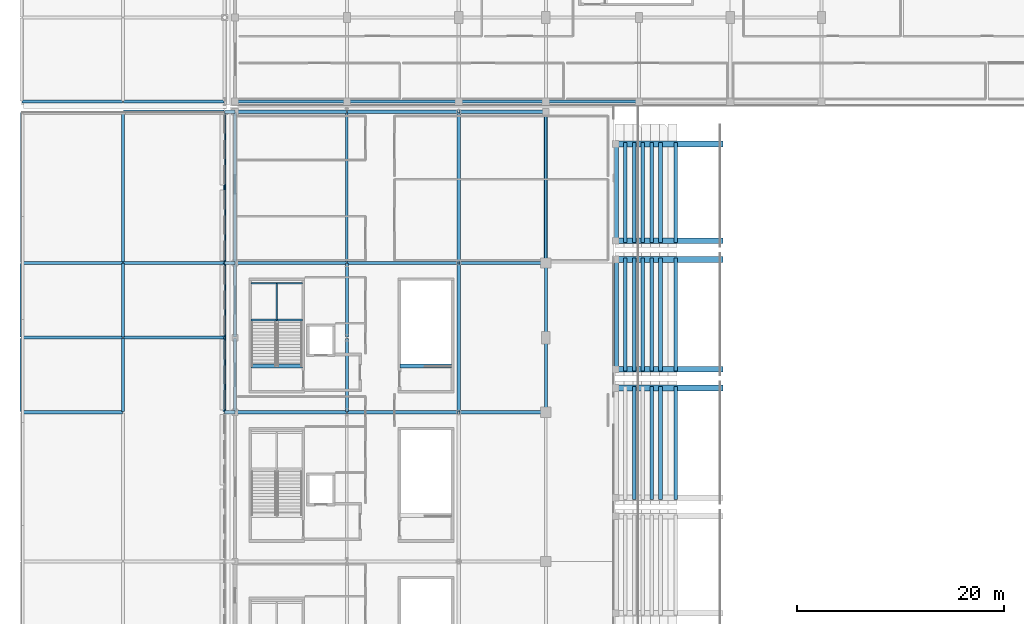
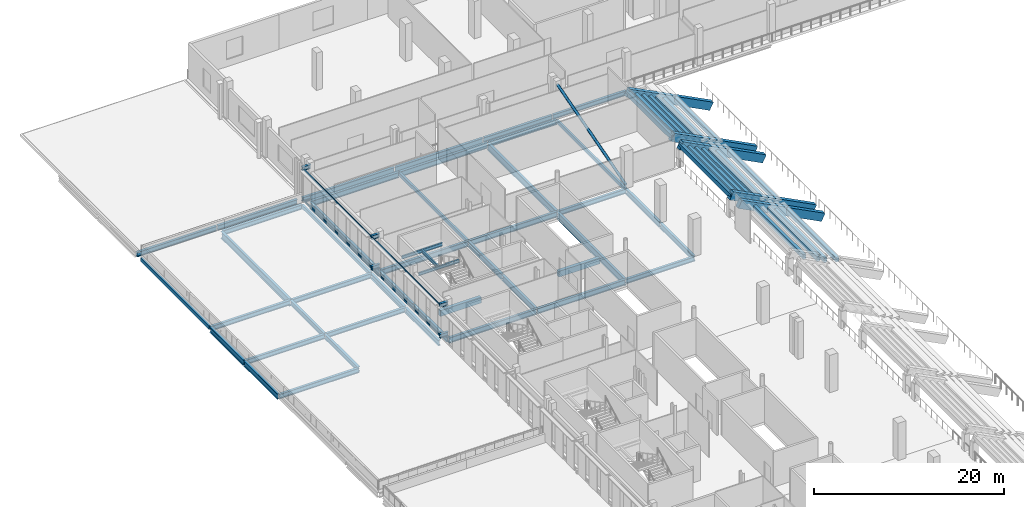
# One storey, part 16 of 74: 75 beams, 5 members.
"""IFC4 building model written with IfcOpenShell, lengths in metres."""

from ifc_helpers import new_model, si_unit, direction, frame, origin, origin_2d, place, context, subcontext, project, spatial, rectangle, hollow_rectangle, hollow_circle, i_section, extrude, material, material_profile, profile_set, type_object, element, save


model = new_model("IFC4")

# Units and contexts
model_context = context("Model", 3, precision=1e-05, world=origin(), true_north=direction((0.0, 1.0)))
body_context = subcontext(model_context, "Body", "Model", "MODEL_VIEW")
ifc_project = project(units=[si_unit("LENGTHUNIT", "METRE"), si_unit("AREAUNIT", "SQUARE_METRE"), si_unit("VOLUMEUNIT", "CUBIC_METRE"), si_unit("PLANEANGLEUNIT", "RADIAN"), si_unit("MASSUNIT", "GRAM", prefix="KILO")], contexts=[model_context])

# Site, building, storey
site_placement = place(None, origin())
site = spatial("IfcSite", under=ifc_project, at=site_placement, CompositionType="ELEMENT")
building_placement = place(site_placement, origin())
building = spatial("IfcBuilding", under=site, at=building_placement, Name="Koshinbarg Plaza Stadium", CompositionType="ELEMENT")
storey_placement = place(building_placement, frame((0.0, 0.0, 15.0)))
storey = spatial("IfcBuildingStorey", under=building, at=storey_placement, Name="L03", CompositionType="ELEMENT", Elevation=15.0)

# Beams
ifc_material_1 = material(Name="Steel S355", Category="steel")
ifc_material_profile_1 = material_profile(ifc_material_1, i_section(OverallWidth=0.300048828125, OverallDepth=0.5, WebThickness=0.014404296875, FlangeThickness=0.028076171875, at=origin_2d()), Name="HEB 500")
ifc_profile_set_1 = profile_set([ifc_material_profile_1], Name="Steel S355")
beam_type_1 = type_object("IfcBeamType", Name="BM-CANOPY-CANT", PredefinedType="BEAM", material=ifc_profile_set_1)
for number, where, z_axis, x_axis, name in (
    (1, (24.60009765625, 97.5, 0.25), (-1.0, 0.0, 0.0), (0.0, -1.0, 0.0), "Outer screen cantilever outrigger W-L03-Y06"),
    (2, (24.60009765625, 97.5, 4.179931640625), (-1.0, 0.0, 0.0), (0.0, -1.0, 0.0), "Outer screen cantilever outrigger W-L03-Y06"),
    (3, (24.60009765625, 111.89990234375, 0.25), (-1.0, 0.0, 0.0), (0.0, -1.0, 0.0), "Outer screen cantilever outrigger W-L03-Y07"),
    (4, (24.60009765625, 111.89990234375, 4.179931640625), (-1.0, 0.0, 0.0), (0.0, -1.0, 0.0), "Outer screen cantilever outrigger W-L03-Y07"),
    (5, (24.60009765625, 126.5, 0.25), (-1.0, 0.0, 0.0), (0.0, -1.0, 0.0), "Outer screen cantilever outrigger W-L03-Y08"),
    (6, (24.60009765625, 126.5, 4.179931640625), (-1.0, 0.0, 0.0), (0.0, -1.0, 0.0), "Outer screen cantilever outrigger W-L03-Y08"),
):
    element("IfcBeam", number, at=place(storey_placement, frame(where, z_axis=z_axis, x_axis=x_axis)), inside=storey, type_object=beam_type_1, Name=name, PredefinedType="BEAM", context=body_context, shape_type="SweptSolid", body=[
        extrude(i_section(OverallWidth=0.300048828125, OverallDepth=0.5, WebThickness=0.014404296875, FlangeThickness=0.028076171875, at=origin_2d()), origin(), (0.0, 0.0, 1.0), 1.030029296875),
    ])
ifc_material_2 = material(Name="Concrete C40/50", Category="concrete")
ifc_material_profile_2 = material_profile(ifc_material_2, rectangle(XDim=0.550048828125, YDim=1.0, at=origin_2d()), Name="RC 550x1000")
ifc_profile_set_2 = profile_set([ifc_material_profile_2], Name="Concrete C40/50")
beam_type_2 = type_object("IfcBeamType", Name="BM-RAKER-UT", PredefinedType="USERDEFINED", material=ifc_profile_set_2)
for number, where, z_axis, x_axis, name in (
    (7, (71.4599609375, 99.85009765625, -2.54296875), (-0.888953125137, 0.0, 0.457998189198), (0.0, -1.0, 0.0), "Upper cantilevered bowl raker girder RAKER UT-W06-R"),
    (8, (71.4599609375, 101.64990234375, -2.54296875), (-0.888953125137, 0.0, 0.457998189198), (0.0, -1.0, 0.0), "Upper cantilevered bowl raker girder RAKER UT-W07-L"),
    (9, (71.4599609375, 112.25, -2.54296875), (-0.888953125137, 0.0, 0.457998189198), (0.0, -1.0, 0.0), "Upper cantilevered bowl raker girder RAKER UT-W07-R"),
    (10, (71.4599609375, 114.050048828125, -2.54296875), (-0.888953125137, 0.0, 0.457998189198), (0.0, -1.0, 0.0), "Upper cantilevered bowl raker girder RAKER UT-W08-L"),
    (11, (71.4599609375, 123.39990234375, -2.54296875), (-0.888953125137, 0.0, 0.457998189198), (0.0, -1.0, 0.0), "Upper cantilevered bowl raker girder RAKER UT-W08-R"),
):
    element("IfcBeam", number, at=place(storey_placement, frame(where, z_axis=z_axis, x_axis=x_axis)), inside=storey, type_object=beam_type_2, Name=name, ObjectType="GIRDER", PredefinedType="USERDEFINED", context=body_context, shape_type="SweptSolid", body=[
        extrude(rectangle(XDim=0.550048828125, YDim=1.0, at=origin_2d()), origin(), (0.0, 0.0, 1.0), 11.384033203125),
    ])
ifc_material_profile_3 = material_profile(ifc_material_2, rectangle(XDim=0.35009765625, YDim=0.60009765625, at=origin_2d()), Name="RC 350x600")
ifc_profile_set_3 = profile_set([ifc_material_profile_3], Name="Concrete C40/50")
beam_type_3 = type_object("IfcBeamType", Name="BM-RCG-01", PredefinedType="SPANDREL", material=ifc_profile_set_3)
for number, where, z_axis, x_axis, name in (
    (12, (67.1298828125, 89.10009765625, -0.080078125), (0.0, 1.0, 0.0), (-1.0, 0.0, 0.0), "Upper tier seat bearer UT-W06-R06"),
    (13, (65.669921875, 89.10009765625, 0.360107421875), (0.0, 1.0, 0.0), (-1.0, 0.0, 0.0), "Upper tier seat bearer UT-W06-R07"),
    (14, (64.820068359375, 89.10009765625, 0.800048828125), (0.0, 1.0, 0.0), (-1.0, 0.0, 0.0), "Upper tier seat bearer UT-W06-R08"),
    (15, (63.1201171875, 89.10009765625, 1.679931640625), (0.0, 1.0, 0.0), (-1.0, 0.0, 0.0), "Upper tier seat bearer UT-W06-R10"),
    (16, (67.1298828125, 101.5, -0.080078125), (0.0, 1.0, 0.0), (-1.0, 0.0, 0.0), "Upper tier seat bearer UT-W07-R06"),
    (17, (65.669921875, 101.5, 0.360107421875), (0.0, 1.0, 0.0), (-1.0, 0.0, 0.0), "Upper tier seat bearer UT-W07-R07"),
    (18, (64.820068359375, 101.5, 0.800048828125), (0.0, 1.0, 0.0), (-1.0, 0.0, 0.0), "Upper tier seat bearer UT-W07-R08"),
    (19, (63.969970703125, 101.5, 1.239990234375), (0.0, 1.0, 0.0), (-1.0, 0.0, 0.0), "Upper tier seat bearer UT-W07-R09"),
    (20, (63.1201171875, 101.5, 1.679931640625), (0.0, 1.0, 0.0), (-1.0, 0.0, 0.0), "Upper tier seat bearer UT-W07-R10"),
    (21, (62.27001953125, 101.5, 2.1201171875), (0.0, 1.0, 0.0), (-1.0, 0.0, 0.0), "Upper tier seat bearer UT-W07-R11"),
    (22, (61.419921875, 101.5, 2.56005859375), (0.0, 1.0, 0.0), (-1.0, 0.0, 0.0), "Upper tier seat bearer UT-W07-R12"),
):
    element("IfcBeam", number, at=place(storey_placement, frame(where, z_axis=z_axis, x_axis=x_axis)), inside=storey, type_object=beam_type_3, Name=name, PredefinedType="SPANDREL", context=body_context, shape_type="SweptSolid", body=[
        extrude(rectangle(XDim=0.35009765625, YDim=0.60009765625, at=origin_2d()), origin(), (0.0, 0.0, 1.0), 10.89990234375),
    ])
for number, where, z_axis, x_axis, name in (
    (23, (67.1298828125, 113.89990234375, -0.080078125), (0.0, 1.0, 0.0), (-1.0, 0.0, 0.0), "Upper tier seat bearer UT-W08-R06"),
    (24, (65.669921875, 113.89990234375, 0.360107421875), (0.0, 1.0, 0.0), (-1.0, 0.0, 0.0), "Upper tier seat bearer UT-W08-R07"),
    (25, (64.820068359375, 113.89990234375, 0.800048828125), (0.0, 1.0, 0.0), (-1.0, 0.0, 0.0), "Upper tier seat bearer UT-W08-R08"),
    (26, (63.969970703125, 113.89990234375, 1.239990234375), (0.0, 1.0, 0.0), (-1.0, 0.0, 0.0), "Upper tier seat bearer UT-W08-R09"),
    (27, (63.1201171875, 113.89990234375, 1.679931640625), (0.0, 1.0, 0.0), (-1.0, 0.0, 0.0), "Upper tier seat bearer UT-W08-R10"),
    (28, (62.27001953125, 113.89990234375, 2.1201171875), (0.0, 1.0, 0.0), (-1.0, 0.0, 0.0), "Upper tier seat bearer UT-W08-R11"),
    (29, (61.419921875, 113.89990234375, 2.56005859375), (0.0, 1.0, 0.0), (-1.0, 0.0, 0.0), "Upper tier seat bearer UT-W08-R12"),
):
    element("IfcBeam", number, at=place(storey_placement, frame(where, z_axis=z_axis, x_axis=x_axis)), inside=storey, type_object=beam_type_3, Name=name, PredefinedType="SPANDREL", context=body_context, shape_type="SweptSolid", body=[
        extrude(rectangle(XDim=0.35009765625, YDim=0.60009765625, at=origin_2d()), origin(), (0.0, 0.0, 1.0), 9.650146484375),
    ])
ifc_material_profile_4 = material_profile(ifc_material_2, rectangle(XDim=0.39990234375, YDim=0.75, at=origin_2d()), Name="RC 400x750")
ifc_profile_set_4 = profile_set([ifc_material_profile_4], Name="Concrete C40/50")
beam_type_4 = type_object("IfcBeamType", Name="BM-RCG-03", PredefinedType="USERDEFINED", material=ifc_profile_set_4)
beam_1_placement = place(storey_placement, frame((26.14990234375, 101.9599609375, -0.375), z_axis=(1.0, 0.0, 0.0), x_axis=(0.0, 1.0, 0.0)))
element("IfcBeam", 30, at=beam_1_placement, inside=storey, type_object=beam_type_4, Name="L03 stair landing header beam C06", ObjectType="GIRDER", PredefinedType="USERDEFINED", context=body_context, shape_type="SweptSolid", body=[
    extrude(rectangle(XDim=0.39990234375, YDim=0.75, at=origin_2d()), origin(), (0.0, 0.0, 1.0), 4.97021484375),
])
beam_2_placement = place(storey_placement, frame((40.550048828125, 101.9599609375, -0.375), z_axis=(1.0, 0.0, 0.0), x_axis=(0.0, 1.0, 0.0)))
element("IfcBeam", 31, at=beam_2_placement, inside=storey, type_object=beam_type_4, Name="L03 stair landing header beam VX06", ObjectType="GIRDER", PredefinedType="USERDEFINED", context=body_context, shape_type="SweptSolid", body=[
    extrude(rectangle(XDim=0.39990234375, YDim=0.75, at=origin_2d()), origin(), (0.0, 0.0, 1.0), 4.969970703125),
])
ifc_material_profile_5 = material_profile(ifc_material_1, i_section(OverallWidth=0.179931640625, OverallDepth=0.39990234375, WebThickness=0.008544921875, FlangeThickness=0.013427734375, at=origin_2d()), Name="IPE 400")
ifc_profile_set_5 = profile_set([ifc_material_profile_5], Name="Steel S355")
beam_type_5 = type_object("IfcBeamType", Name="BM-SBM-01", PredefinedType="BEAM", material=ifc_profile_set_5)
for number, where, z_axis, x_axis, name in (
    (32, (26.14990234375, 106.409912109375, 1.8798828125), (1.0, 0.0, 0.0), (0.0, 1.0, 0.0), "L03 Protected Exit Stair C06 landing trimmer beam 1"),
    (33, (26.14990234375, 109.949951171875, 1.8798828125), (1.0, 0.0, 0.0), (0.0, 1.0, 0.0), "L03 Protected Exit Stair C06 landing trimmer beam 2"),
):
    element("IfcBeam", number, at=place(storey_placement, frame(where, z_axis=z_axis, x_axis=x_axis)), inside=storey, type_object=beam_type_5, Name=name, PredefinedType="BEAM", context=body_context, shape_type="SweptSolid", body=[
        extrude(i_section(OverallWidth=0.179931640625, OverallDepth=0.39990234375, WebThickness=0.008544921875, FlangeThickness=0.013427734375, at=origin_2d()), origin(), (0.0, 0.0, 1.0), 4.97021484375),
    ])
beam_3_placement = place(storey_placement, frame((28.635009765625, 106.409912109375, 1.8798828125), z_axis=(0.0, 1.0, 0.0), x_axis=(-1.0, 0.0, 0.0)))
element("IfcBeam", 34, at=beam_3_placement, inside=storey, type_object=beam_type_5, Name="L03 Protected Exit Stair C06 landing trimmer beam 3", PredefinedType="BEAM", context=body_context, shape_type="SweptSolid", body=[
    extrude(i_section(OverallWidth=0.179931640625, OverallDepth=0.39990234375, WebThickness=0.008544921875, FlangeThickness=0.013427734375, at=origin_2d()), origin(), (0.0, 0.0, 1.0), 3.5400390625),
])
ifc_material_profile_6 = material_profile(ifc_material_1, i_section(OverallWidth=0.300048828125, OverallDepth=0.60009765625, WebThickness=0.015380859375, FlangeThickness=0.030029296875, at=origin_2d()), Name="HEB 600")
ifc_profile_set_6 = profile_set([ifc_material_profile_6], Name="Steel S355")
beam_type_6 = type_object("IfcBeamType", Name="BM-SGIR-02", PredefinedType="USERDEFINED", material=ifc_profile_set_6)
beam_4_placement = place(storey_placement, frame((4.06005859375, 97.5, -0.659912109375), z_axis=(1.0, 0.0, 0.0), x_axis=(0.0, 1.0, 0.0)))
element("IfcBeam", 35, at=beam_4_placement, inside=storey, type_object=beam_type_6, Name="L03 X girder N/2-3", ObjectType="GIRDER", PredefinedType="USERDEFINED", context=body_context, shape_type="SweptSolid", body=[
    extrude(i_section(OverallWidth=0.300048828125, OverallDepth=0.60009765625, WebThickness=0.015380859375, FlangeThickness=0.030029296875, at=origin_2d()), origin(), (0.0, 0.0, 1.0), 9.679931640625),
])
beam_5_placement = place(storey_placement, frame((46.260009765625, 97.5, -0.6201171875), z_axis=(1.0, 0.0, 0.0), x_axis=(0.0, 1.0, 0.0)))
element("IfcBeam", 36, at=beam_5_placement, inside=storey, type_object=beam_type_6, Name="L03 X girder N/7-8", ObjectType="GIRDER", PredefinedType="USERDEFINED", context=body_context, shape_type="SweptSolid", body=[
    extrude(i_section(OverallWidth=0.300048828125, OverallDepth=0.60009765625, WebThickness=0.015380859375, FlangeThickness=0.030029296875, at=origin_2d()), origin(), (0.0, 0.0, 1.0), 8.280029296875),
])
for number, where, z_axis, x_axis, name in (
    (37, (4.06005859375, 104.699951171875, -0.659912109375), (1.0, 0.0, 0.0), (0.0, 1.0, 0.0), "L03 X girder P/2-3"),
    (38, (13.860107421875, 104.699951171875, -0.659912109375), (1.0, 0.0, 0.0), (0.0, 1.0, 0.0), "L03 X girder P/3-4"),
    (39, (4.06005859375, 111.89990234375, -0.659912109375), (1.0, 0.0, 0.0), (0.0, 1.0, 0.0), "L03 X girder Q/2-3"),
    (40, (13.860107421875, 111.89990234375, -0.659912109375), (1.0, 0.0, 0.0), (0.0, 1.0, 0.0), "L03 X girder Q/3-4"),
):
    element("IfcBeam", number, at=place(storey_placement, frame(where, z_axis=z_axis, x_axis=x_axis)), inside=storey, type_object=beam_type_6, Name=name, ObjectType="GIRDER", PredefinedType="USERDEFINED", context=body_context, shape_type="SweptSolid", body=[
        extrude(i_section(OverallWidth=0.300048828125, OverallDepth=0.60009765625, WebThickness=0.015380859375, FlangeThickness=0.030029296875, at=origin_2d()), origin(), (0.0, 0.0, 1.0), 9.679931640625),
    ])
beam_6_placement = place(storey_placement, frame((46.260009765625, 111.89990234375, -0.6201171875), z_axis=(1.0, 0.0, 0.0), x_axis=(0.0, 1.0, 0.0)))
element("IfcBeam", 41, at=beam_6_placement, inside=storey, type_object=beam_type_6, Name="L03 X girder Q/7-8", ObjectType="GIRDER", PredefinedType="USERDEFINED", context=body_context, shape_type="SweptSolid", body=[
    extrude(i_section(OverallWidth=0.300048828125, OverallDepth=0.60009765625, WebThickness=0.015380859375, FlangeThickness=0.030029296875, at=origin_2d()), origin(), (0.0, 0.0, 1.0), 8.280029296875),
])
beam_7_placement = place(storey_placement, frame((13.860107421875, 126.5, -0.659912109375), z_axis=(1.0, 0.0, 0.0), x_axis=(0.0, 1.0, 0.0)))
element("IfcBeam", 42, at=beam_7_placement, inside=storey, type_object=beam_type_6, Name="L03 X girder R/3-4", ObjectType="GIRDER", PredefinedType="USERDEFINED", context=body_context, shape_type="SweptSolid", body=[
    extrude(i_section(OverallWidth=0.300048828125, OverallDepth=0.60009765625, WebThickness=0.015380859375, FlangeThickness=0.030029296875, at=origin_2d()), origin(), (0.0, 0.0, 1.0), 9.679931640625),
])
beam_8_placement = place(storey_placement, frame((46.260009765625, 126.5, -0.6201171875), z_axis=(1.0, 0.0, 0.0), x_axis=(0.0, 1.0, 0.0)))
element("IfcBeam", 43, at=beam_8_placement, inside=storey, type_object=beam_type_6, Name="L03 X girder R/7-8", ObjectType="GIRDER", PredefinedType="USERDEFINED", context=body_context, shape_type="SweptSolid", body=[
    extrude(i_section(OverallWidth=0.300048828125, OverallDepth=0.60009765625, WebThickness=0.015380859375, FlangeThickness=0.030029296875, at=origin_2d()), origin(), (0.0, 0.0, 1.0), 8.280029296875),
])
for number, where, z_axis, x_axis, name in (
    (44, (4.06005859375, 127.5, -0.60009765625), (1.0, 0.0, 0.0), (0.0, 1.0, 0.0), "L03 X girder S/2-3"),
    (45, (13.860107421875, 127.5, -0.60009765625), (1.0, 0.0, 0.0), (0.0, 1.0, 0.0), "L03 X girder S/3-4"),
):
    element("IfcBeam", number, at=place(storey_placement, frame(where, z_axis=z_axis, x_axis=x_axis)), inside=storey, type_object=beam_type_6, Name=name, ObjectType="GIRDER", PredefinedType="USERDEFINED", context=body_context, shape_type="SweptSolid", body=[
        extrude(i_section(OverallWidth=0.300048828125, OverallDepth=0.60009765625, WebThickness=0.015380859375, FlangeThickness=0.030029296875, at=origin_2d()), origin(), (0.0, 0.0, 1.0), 9.679931640625),
    ])
beam_9_placement = place(storey_placement, frame((46.260009765625, 127.5, -0.6201171875), z_axis=(1.0, 0.0, 0.0), x_axis=(0.0, 1.0, 0.0)))
element("IfcBeam", 46, at=beam_9_placement, inside=storey, type_object=beam_type_6, Name="L03 X girder S/7-8", ObjectType="GIRDER", PredefinedType="USERDEFINED", context=body_context, shape_type="SweptSolid", body=[
    extrude(i_section(OverallWidth=0.300048828125, OverallDepth=0.60009765625, WebThickness=0.015380859375, FlangeThickness=0.030029296875, at=origin_2d()), origin(), (0.0, 0.0, 1.0), 8.280029296875),
])
beam_10_placement = place(storey_placement, frame((54.659912109375, 127.5, -0.6201171875), z_axis=(1.0, 0.0, 0.0), x_axis=(0.0, 1.0, 0.0)))
element("IfcBeam", 47, at=beam_10_placement, inside=storey, type_object=beam_type_6, Name="L03 X girder S/8-9", ObjectType="GIRDER", PredefinedType="USERDEFINED", context=body_context, shape_type="SweptSolid", body=[
    extrude(i_section(OverallWidth=0.300048828125, OverallDepth=0.60009765625, WebThickness=0.015380859375, FlangeThickness=0.030029296875, at=origin_2d()), origin(), (0.0, 0.0, 1.0), 8.880126953125),
])
beam_11_placement = place(storey_placement, frame((13.800048828125, 97.56005859375, -0.659912109375), z_axis=(0.0, 1.0, 0.0), x_axis=(-1.0, 0.0, 0.0)))
element("IfcBeam", 48, at=beam_11_placement, inside=storey, type_object=beam_type_6, Name="L03 Y girder 3/N-P", ObjectType="GIRDER", PredefinedType="USERDEFINED", context=body_context, shape_type="SweptSolid", body=[
    extrude(i_section(OverallWidth=0.300048828125, OverallDepth=0.60009765625, WebThickness=0.015380859375, FlangeThickness=0.030029296875, at=origin_2d()), origin(), (0.0, 0.0, 1.0), 7.079833984375),
])
beam_12_placement = place(storey_placement, frame((13.800048828125, 104.760009765625, -0.659912109375), z_axis=(0.0, 1.0, 0.0), x_axis=(-1.0, 0.0, 0.0)))
element("IfcBeam", 49, at=beam_12_placement, inside=storey, type_object=beam_type_6, Name="L03 Y girder 3/P-Q", ObjectType="GIRDER", PredefinedType="USERDEFINED", context=body_context, shape_type="SweptSolid", body=[
    extrude(i_section(OverallWidth=0.300048828125, OverallDepth=0.60009765625, WebThickness=0.015380859375, FlangeThickness=0.030029296875, at=origin_2d()), origin(), (0.0, 0.0, 1.0), 7.080078125),
])
beam_13_placement = place(storey_placement, frame((24.60009765625, 97.56005859375, -0.6201171875), z_axis=(0.0, 1.0, 0.0), x_axis=(-1.0, 0.0, 0.0)))
element("IfcBeam", 50, at=beam_13_placement, inside=storey, type_object=beam_type_6, Name="L03 Y girder 5/N-P", ObjectType="GIRDER", PredefinedType="USERDEFINED", context=body_context, shape_type="SweptSolid", body=[
    extrude(i_section(OverallWidth=0.300048828125, OverallDepth=0.60009765625, WebThickness=0.015380859375, FlangeThickness=0.030029296875, at=origin_2d()), origin(), (0.0, 0.0, 1.0), 7.079833984375),
])
beam_14_placement = place(storey_placement, frame((24.60009765625, 104.760009765625, -0.6201171875), z_axis=(0.0, 1.0, 0.0), x_axis=(-1.0, 0.0, 0.0)))
element("IfcBeam", 51, at=beam_14_placement, inside=storey, type_object=beam_type_6, Name="L03 Y girder 5/P-Q", ObjectType="GIRDER", PredefinedType="USERDEFINED", context=body_context, shape_type="SweptSolid", body=[
    extrude(i_section(OverallWidth=0.300048828125, OverallDepth=0.60009765625, WebThickness=0.015380859375, FlangeThickness=0.030029296875, at=origin_2d()), origin(), (0.0, 0.0, 1.0), 7.080078125),
])
ifc_material_profile_7 = material_profile(ifc_material_1, i_section(OverallWidth=0.300048828125, OverallDepth=0.699951171875, WebThickness=0.01708984375, FlangeThickness=0.031982421875, at=origin_2d()), Name="HEB 700")
ifc_profile_set_7 = profile_set([ifc_material_profile_7], Name="Steel S355")
beam_type_7 = type_object("IfcBeamType", Name="BM-SGIR-03", PredefinedType="USERDEFINED", material=ifc_profile_set_7)
beam_15_placement = place(storey_placement, frame((24.659912109375, 97.5, -0.669921875), z_axis=(1.0, 0.0, 0.0), x_axis=(0.0, 1.0, 0.0)))
element("IfcBeam", 52, at=beam_15_placement, inside=storey, type_object=beam_type_7, Name="L03 X girder N/5-6", ObjectType="GIRDER", PredefinedType="USERDEFINED", context=body_context, shape_type="SweptSolid", body=[
    extrude(i_section(OverallWidth=0.300048828125, OverallDepth=0.699951171875, WebThickness=0.01708984375, FlangeThickness=0.031982421875, at=origin_2d()), origin(), (0.0, 0.0, 1.0), 10.68017578125),
])
beam_16_placement = place(storey_placement, frame((35.4599609375, 97.5, -0.669921875), z_axis=(1.0, 0.0, 0.0), x_axis=(0.0, 1.0, 0.0)))
element("IfcBeam", 53, at=beam_16_placement, inside=storey, type_object=beam_type_7, Name="L03 X girder N/6-7", ObjectType="GIRDER", PredefinedType="USERDEFINED", context=body_context, shape_type="SweptSolid", body=[
    extrude(i_section(OverallWidth=0.300048828125, OverallDepth=0.699951171875, WebThickness=0.01708984375, FlangeThickness=0.031982421875, at=origin_2d()), origin(), (0.0, 0.0, 1.0), 10.679931640625),
])
beam_17_placement = place(storey_placement, frame((24.659912109375, 111.89990234375, -0.669921875), z_axis=(1.0, 0.0, 0.0), x_axis=(0.0, 1.0, 0.0)))
element("IfcBeam", 54, at=beam_17_placement, inside=storey, type_object=beam_type_7, Name="L03 X girder Q/5-6", ObjectType="GIRDER", PredefinedType="USERDEFINED", context=body_context, shape_type="SweptSolid", body=[
    extrude(i_section(OverallWidth=0.300048828125, OverallDepth=0.699951171875, WebThickness=0.01708984375, FlangeThickness=0.031982421875, at=origin_2d()), origin(), (0.0, 0.0, 1.0), 10.68017578125),
])
beam_18_placement = place(storey_placement, frame((35.4599609375, 111.89990234375, -0.669921875), z_axis=(1.0, 0.0, 0.0), x_axis=(0.0, 1.0, 0.0)))
element("IfcBeam", 55, at=beam_18_placement, inside=storey, type_object=beam_type_7, Name="L03 X girder Q/6-7", ObjectType="GIRDER", PredefinedType="USERDEFINED", context=body_context, shape_type="SweptSolid", body=[
    extrude(i_section(OverallWidth=0.300048828125, OverallDepth=0.699951171875, WebThickness=0.01708984375, FlangeThickness=0.031982421875, at=origin_2d()), origin(), (0.0, 0.0, 1.0), 10.679931640625),
])
beam_19_placement = place(storey_placement, frame((24.659912109375, 126.5, -0.669921875), z_axis=(1.0, 0.0, 0.0), x_axis=(0.0, 1.0, 0.0)))
element("IfcBeam", 56, at=beam_19_placement, inside=storey, type_object=beam_type_7, Name="L03 X girder R/5-6", ObjectType="GIRDER", PredefinedType="USERDEFINED", context=body_context, shape_type="SweptSolid", body=[
    extrude(i_section(OverallWidth=0.300048828125, OverallDepth=0.699951171875, WebThickness=0.01708984375, FlangeThickness=0.031982421875, at=origin_2d()), origin(), (0.0, 0.0, 1.0), 10.68017578125),
])
beam_20_placement = place(storey_placement, frame((35.4599609375, 126.5, -0.669921875), z_axis=(1.0, 0.0, 0.0), x_axis=(0.0, 1.0, 0.0)))
element("IfcBeam", 57, at=beam_20_placement, inside=storey, type_object=beam_type_7, Name="L03 X girder R/6-7", ObjectType="GIRDER", PredefinedType="USERDEFINED", context=body_context, shape_type="SweptSolid", body=[
    extrude(i_section(OverallWidth=0.300048828125, OverallDepth=0.699951171875, WebThickness=0.01708984375, FlangeThickness=0.031982421875, at=origin_2d()), origin(), (0.0, 0.0, 1.0), 10.679931640625),
])
beam_21_placement = place(storey_placement, frame((24.659912109375, 127.5, -0.669921875), z_axis=(1.0, 0.0, 0.0), x_axis=(0.0, 1.0, 0.0)))
element("IfcBeam", 58, at=beam_21_placement, inside=storey, type_object=beam_type_7, Name="L03 X girder S/5-6", ObjectType="GIRDER", PredefinedType="USERDEFINED", context=body_context, shape_type="SweptSolid", body=[
    extrude(i_section(OverallWidth=0.300048828125, OverallDepth=0.699951171875, WebThickness=0.01708984375, FlangeThickness=0.031982421875, at=origin_2d()), origin(), (0.0, 0.0, 1.0), 10.68017578125),
])
beam_22_placement = place(storey_placement, frame((35.4599609375, 127.5, -0.669921875), z_axis=(1.0, 0.0, 0.0), x_axis=(0.0, 1.0, 0.0)))
element("IfcBeam", 59, at=beam_22_placement, inside=storey, type_object=beam_type_7, Name="L03 X girder S/6-7", ObjectType="GIRDER", PredefinedType="USERDEFINED", context=body_context, shape_type="SweptSolid", body=[
    extrude(i_section(OverallWidth=0.300048828125, OverallDepth=0.699951171875, WebThickness=0.01708984375, FlangeThickness=0.031982421875, at=origin_2d()), origin(), (0.0, 0.0, 1.0), 10.679931640625),
])
beam_23_placement = place(storey_placement, frame((4.0, 97.56005859375, -0.7099609375), z_axis=(0.0, 1.0, 0.0), x_axis=(-1.0, 0.0, 0.0)))
element("IfcBeam", 60, at=beam_23_placement, inside=storey, type_object=beam_type_7, Name="L03 Y girder 2/N-P", ObjectType="GIRDER", PredefinedType="USERDEFINED", context=body_context, shape_type="SweptSolid", body=[
    extrude(i_section(OverallWidth=0.300048828125, OverallDepth=0.699951171875, WebThickness=0.01708984375, FlangeThickness=0.031982421875, at=origin_2d()), origin(), (0.0, 0.0, 1.0), 7.079833984375),
])
beam_24_placement = place(storey_placement, frame((4.0, 104.760009765625, -0.7099609375), z_axis=(0.0, 1.0, 0.0), x_axis=(-1.0, 0.0, 0.0)))
element("IfcBeam", 61, at=beam_24_placement, inside=storey, type_object=beam_type_7, Name="L03 Y girder 2/P-Q", ObjectType="GIRDER", PredefinedType="USERDEFINED", context=body_context, shape_type="SweptSolid", body=[
    extrude(i_section(OverallWidth=0.300048828125, OverallDepth=0.699951171875, WebThickness=0.01708984375, FlangeThickness=0.031982421875, at=origin_2d()), origin(), (0.0, 0.0, 1.0), 7.080078125),
])
beam_25_placement = place(storey_placement, frame((23.60009765625, 97.56005859375, -0.7099609375), z_axis=(0.0, 1.0, 0.0), x_axis=(-1.0, 0.0, 0.0)))
element("IfcBeam", 62, at=beam_25_placement, inside=storey, type_object=beam_type_7, Name="L03 Y girder 4/N-P", ObjectType="GIRDER", PredefinedType="USERDEFINED", context=body_context, shape_type="SweptSolid", body=[
    extrude(i_section(OverallWidth=0.300048828125, OverallDepth=0.699951171875, WebThickness=0.01708984375, FlangeThickness=0.031982421875, at=origin_2d()), origin(), (0.0, 0.0, 1.0), 7.079833984375),
])
beam_26_placement = place(storey_placement, frame((23.60009765625, 104.760009765625, -0.7099609375), z_axis=(0.0, 1.0, 0.0), x_axis=(-1.0, 0.0, 0.0)))
element("IfcBeam", 63, at=beam_26_placement, inside=storey, type_object=beam_type_7, Name="L03 Y girder 4/P-Q", ObjectType="GIRDER", PredefinedType="USERDEFINED", context=body_context, shape_type="SweptSolid", body=[
    extrude(i_section(OverallWidth=0.300048828125, OverallDepth=0.699951171875, WebThickness=0.01708984375, FlangeThickness=0.031982421875, at=origin_2d()), origin(), (0.0, 0.0, 1.0), 7.080078125),
])
beam_27_placement = place(storey_placement, frame((35.39990234375, 97.56005859375, -0.669921875), z_axis=(0.0, 1.0, 0.0), x_axis=(-1.0, 0.0, 0.0)))
element("IfcBeam", 64, at=beam_27_placement, inside=storey, type_object=beam_type_7, Name="L03 Y girder 6/N-P", ObjectType="GIRDER", PredefinedType="USERDEFINED", context=body_context, shape_type="SweptSolid", body=[
    extrude(i_section(OverallWidth=0.300048828125, OverallDepth=0.699951171875, WebThickness=0.01708984375, FlangeThickness=0.031982421875, at=origin_2d()), origin(), (0.0, 0.0, 1.0), 7.079833984375),
])
beam_28_placement = place(storey_placement, frame((35.39990234375, 104.760009765625, -0.669921875), z_axis=(0.0, 1.0, 0.0), x_axis=(-1.0, 0.0, 0.0)))
element("IfcBeam", 65, at=beam_28_placement, inside=storey, type_object=beam_type_7, Name="L03 Y girder 6/P-Q", ObjectType="GIRDER", PredefinedType="USERDEFINED", context=body_context, shape_type="SweptSolid", body=[
    extrude(i_section(OverallWidth=0.300048828125, OverallDepth=0.699951171875, WebThickness=0.01708984375, FlangeThickness=0.031982421875, at=origin_2d()), origin(), (0.0, 0.0, 1.0), 7.080078125),
])
beam_29_placement = place(storey_placement, frame((54.60009765625, 97.56005859375, -0.669921875), z_axis=(0.0, 1.0, 0.0), x_axis=(-1.0, 0.0, 0.0)))
element("IfcBeam", 66, at=beam_29_placement, inside=storey, type_object=beam_type_7, Name="L03 Y girder 8/N-P", ObjectType="GIRDER", PredefinedType="USERDEFINED", context=body_context, shape_type="SweptSolid", body=[
    extrude(i_section(OverallWidth=0.300048828125, OverallDepth=0.699951171875, WebThickness=0.01708984375, FlangeThickness=0.031982421875, at=origin_2d()), origin(), (0.0, 0.0, 1.0), 7.079833984375),
])
beam_30_placement = place(storey_placement, frame((54.60009765625, 104.760009765625, -0.669921875), z_axis=(0.0, 1.0, 0.0), x_axis=(-1.0, 0.0, 0.0)))
element("IfcBeam", 67, at=beam_30_placement, inside=storey, type_object=beam_type_7, Name="L03 Y girder 8/P-Q", ObjectType="GIRDER", PredefinedType="USERDEFINED", context=body_context, shape_type="SweptSolid", body=[
    extrude(i_section(OverallWidth=0.300048828125, OverallDepth=0.699951171875, WebThickness=0.01708984375, FlangeThickness=0.031982421875, at=origin_2d()), origin(), (0.0, 0.0, 1.0), 7.080078125),
])
ifc_material_profile_8 = material_profile(ifc_material_1, i_section(OverallWidth=0.300048828125, OverallDepth=0.89990234375, WebThickness=0.0185546875, FlangeThickness=0.034912109375, at=origin_2d()), Name="HEB 900")
ifc_profile_set_8 = profile_set([ifc_material_profile_8], Name="Steel S355")
beam_type_8 = type_object("IfcBeamType", Name="BM-SGIR-05", PredefinedType="USERDEFINED", material=ifc_profile_set_8)
for number, where, z_axis, x_axis, name in (
    (68, (13.800048828125, 111.9599609375, -0.81005859375), (0.0, 1.0, 0.0), (-1.0, 0.0, 0.0), "L03 Y girder 3/Q-R"),
    (69, (24.60009765625, 111.9599609375, -0.77001953125), (0.0, 1.0, 0.0), (-1.0, 0.0, 0.0), "L03 Y girder 5/Q-R"),
):
    element("IfcBeam", number, at=place(storey_placement, frame(where, z_axis=z_axis, x_axis=x_axis)), inside=storey, type_object=beam_type_8, Name=name, ObjectType="GIRDER", PredefinedType="USERDEFINED", context=body_context, shape_type="SweptSolid", body=[
        extrude(i_section(OverallWidth=0.300048828125, OverallDepth=0.89990234375, WebThickness=0.0185546875, FlangeThickness=0.034912109375, at=origin_2d()), origin(), (0.0, 0.0, 1.0), 14.47998046875),
    ])
beam_31_placement = place(storey_placement, frame((46.199951171875, 97.56005859375, -0.77001953125), z_axis=(0.0, 1.0, 0.0), x_axis=(-1.0, 0.0, 0.0)))
element("IfcBeam", 70, at=beam_31_placement, inside=storey, type_object=beam_type_8, Name="L03 Y girder 7/N-Q", ObjectType="GIRDER", PredefinedType="USERDEFINED", context=body_context, shape_type="SweptSolid", body=[
    extrude(i_section(OverallWidth=0.300048828125, OverallDepth=0.89990234375, WebThickness=0.0185546875, FlangeThickness=0.034912109375, at=origin_2d()), origin(), (0.0, 0.0, 1.0), 14.280029296875),
])
beam_32_placement = place(storey_placement, frame((46.199951171875, 111.9599609375, -0.77001953125), z_axis=(0.0, 1.0, 0.0), x_axis=(-1.0, 0.0, 0.0)))
element("IfcBeam", 71, at=beam_32_placement, inside=storey, type_object=beam_type_8, Name="L03 Y girder 7/Q-R", ObjectType="GIRDER", PredefinedType="USERDEFINED", context=body_context, shape_type="SweptSolid", body=[
    extrude(i_section(OverallWidth=0.300048828125, OverallDepth=0.89990234375, WebThickness=0.0185546875, FlangeThickness=0.034912109375, at=origin_2d()), origin(), (0.0, 0.0, 1.0), 14.47998046875),
])
ifc_material_profile_9 = material_profile(ifc_material_1, hollow_rectangle(XDim=0.25, YDim=0.449951171875, WallThickness=0.01611328125, at=origin_2d()), Name="RHS 450x250x16")
ifc_profile_set_9 = profile_set([ifc_material_profile_9], Name="Steel S355")
beam_type_9 = type_object("IfcBeamType", Name="BM-SGIR-06", PredefinedType="USERDEFINED", material=ifc_profile_set_9)
for number, where, z_axis, x_axis, name in (
    (72, (4.0, 111.9599609375, -0.5849609375), (0.0, 1.0, 0.0), (-1.0, 0.0, 0.0), "L03 Y girder 2/Q-R"),
    (73, (23.60009765625, 111.9599609375, -0.5849609375), (0.0, 1.0, 0.0), (-1.0, 0.0, 0.0), "L03 Y girder 4/Q-R"),
    (74, (35.39990234375, 111.9599609375, -0.544921875), (0.0, 1.0, 0.0), (-1.0, 0.0, 0.0), "L03 Y girder 6/Q-R"),
    (75, (54.60009765625, 111.9599609375, -0.544921875), (0.0, 1.0, 0.0), (-1.0, 0.0, 0.0), "L03 Y girder 8/Q-R"),
):
    element("IfcBeam", number, at=place(storey_placement, frame(where, z_axis=z_axis, x_axis=x_axis)), inside=storey, type_object=beam_type_9, Name=name, ObjectType="GIRDER", PredefinedType="USERDEFINED", context=body_context, shape_type="SweptSolid", body=[
        extrude(hollow_rectangle(XDim=0.25, YDim=0.449951171875, WallThickness=0.01611328125, at=origin_2d()), origin(), (0.0, 0.0, 1.0), 14.47998046875),
    ])

# Members
ifc_material_profile_10 = material_profile(ifc_material_1, hollow_circle(Radius=0.161865234375, WallThickness=0.01416015625, at=origin_2d()), Name="CHS 323.9x14.2")
ifc_profile_set_10 = profile_set([ifc_material_profile_10], Name="Steel S355")
member_type_1 = type_object("IfcMemberType", Name="MB-BRACE-01", PredefinedType="BRACE", material=ifc_profile_set_10)
member_placement = place(storey_placement, frame((54.60009765625, 111.97998046875, 0.050048828125), z_axis=(0.0, 0.961097239183, 0.27621024028), x_axis=(-1.0, 0.0, 0.0)))
element("IfcMember", 76, at=member_placement, inside=storey, type_object=member_type_1, Name="L03 lateral frame brace 14", PredefinedType="BRACE", context=body_context, shape_type="SweptSolid", body=[
    extrude(hollow_circle(Radius=0.161865234375, WallThickness=0.01416015625, at=origin_2d()), origin(), (0.0, 0.0, 1.0), 15.0244140625),
])
ifc_material_profile_11 = material_profile(ifc_material_1, hollow_rectangle(XDim=0.10009765625, YDim=0.199951171875, WallThickness=0.008056640625, at=origin_2d()), Name="RHS 200x100x8")
ifc_profile_set_11 = profile_set([ifc_material_profile_11], Name="Steel S355")
member_type_2 = type_object("IfcMemberType", Name="MB-PURL-03", PredefinedType="PURLIN", material=ifc_profile_set_11)
for number, where, z_axis, x_axis, name in (
    (77, (23.64990234375, 97.5, 0.25), (0.0, 1.0, 0.0), (-1.0, 0.0, 0.0), "L03 outer screen subframe rail W-6-BOT"),
    (78, (23.64990234375, 97.5, 4.179931640625), (0.0, 1.0, 0.0), (-1.0, 0.0, 0.0), "L03 outer screen subframe rail W-6-TOP"),
):
    element("IfcMember", number, at=place(storey_placement, frame(where, z_axis=z_axis, x_axis=x_axis)), inside=storey, type_object=member_type_2, Name=name, PredefinedType="PURLIN", context=body_context, shape_type="SweptSolid", body=[
        extrude(hollow_rectangle(XDim=0.10009765625, YDim=0.199951171875, WallThickness=0.008056640625, at=origin_2d()), origin(), (0.0, 0.0, 1.0), 14.39990234375),
    ])
for number, where, z_axis, x_axis, name in (
    (79, (23.64990234375, 111.89990234375, 0.25), (0.0, 1.0, 0.0), (-1.0, 0.0, 0.0), "L03 outer screen subframe rail W-7-BOT"),
    (80, (23.64990234375, 111.89990234375, 4.179931640625), (0.0, 1.0, 0.0), (-1.0, 0.0, 0.0), "L03 outer screen subframe rail W-7-TOP"),
):
    element("IfcMember", number, at=place(storey_placement, frame(where, z_axis=z_axis, x_axis=x_axis)), inside=storey, type_object=member_type_2, Name=name, PredefinedType="PURLIN", context=body_context, shape_type="SweptSolid", body=[
        extrude(hollow_rectangle(XDim=0.10009765625, YDim=0.199951171875, WallThickness=0.008056640625, at=origin_2d()), origin(), (0.0, 0.0, 1.0), 14.60009765625),
    ])

save(model, "model.ifc")
